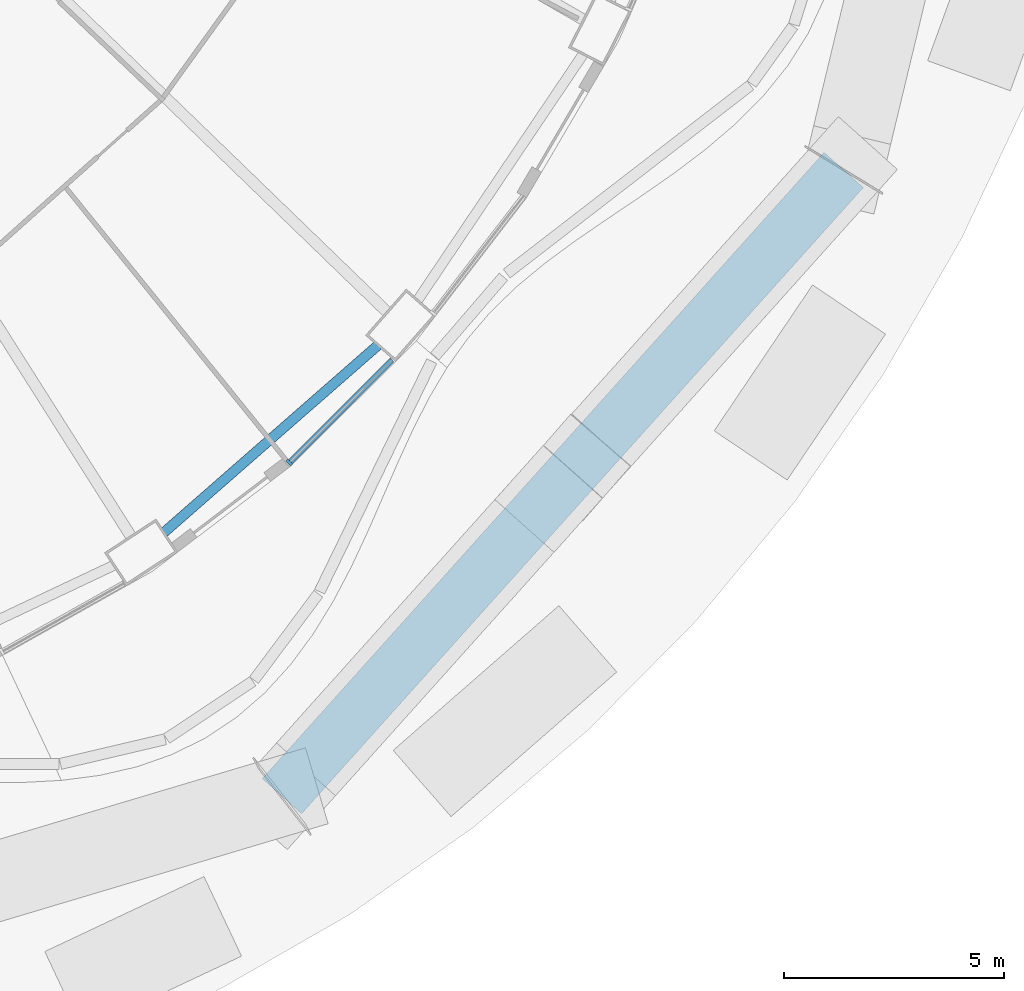
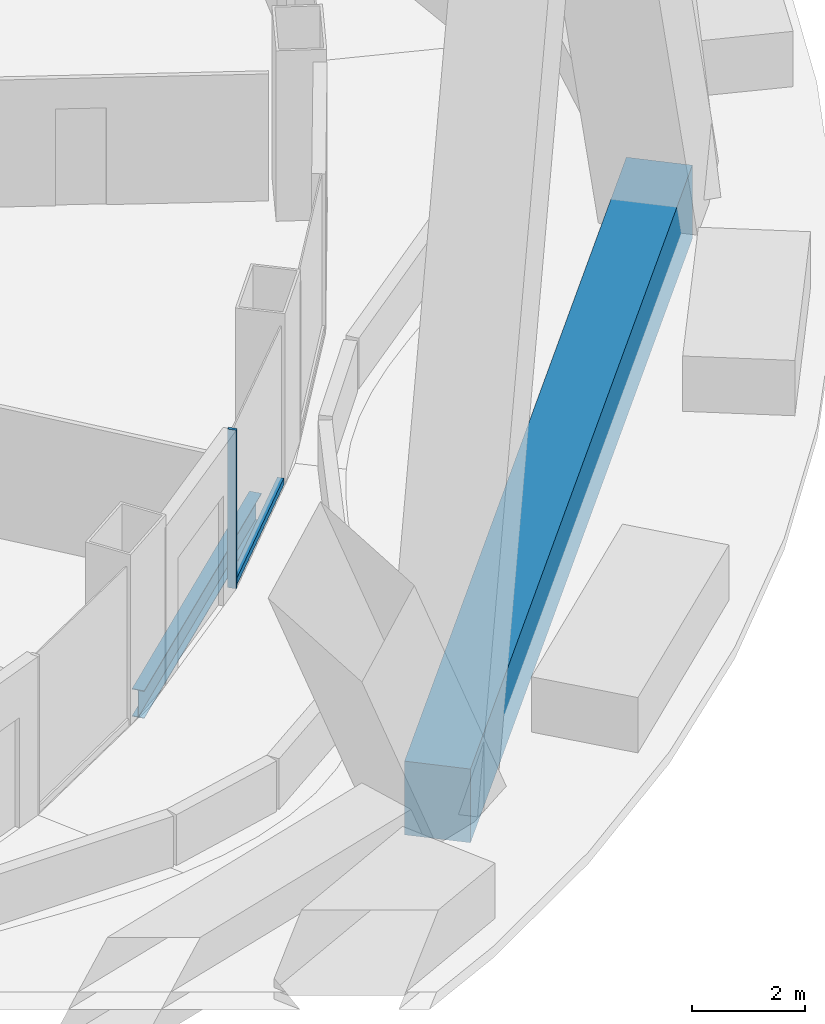
# One storey, part 12 of 42: 3 members, 1 beam, 1 element without a shape of its own.
"""IFC4 building model written with IfcOpenShell, lengths in metres."""

import ifcopenshell
import ifcopenshell.guid

model = None  # the IFC model being written
_history = None  # IfcOwnerHistory: only IFC2X3 demands one
_inside = {}  # id of a spatial element -> (the spatial element, [elements in it])
_under = {}  # id of a project, library or spatial element -> (it, [spatial elements below it])
_declared = {}  # id of a project -> (the project, [libraries it declares])
_typed = {}  # id of a type object -> (the type object, [elements of that type])
_made_of = {}  # id of a material, layer set ... -> (it, [elements and type objects made of it])


def new_model(schema):
    """Start an empty IFC model of exactly this schema.

    Asked for "IFC4X3", IfcOpenShell would pick the latest addendum, in which some entities
    have other attributes; the version numbers below select the first issue.
    IFC2X3 requires an IfcOwnerHistory on every rooted entity: one is made here for all.
    """
    global model, _history
    if schema == "IFC4X3":
        model = ifcopenshell.file(schema_version=(4, 3, 0, 0))
    else:
        model = ifcopenshell.file(schema=schema)
    _inside.clear()
    _under.clear()
    _declared.clear()
    _typed.clear()
    _made_of.clear()
    _history = None
    if model.schema == "IFC2X3":
        org = make("IfcOrganization", Name="unknown")
        user = make(
            "IfcPersonAndOrganization",
            ThePerson=make("IfcPerson", FamilyName="unknown"),
            TheOrganization=org,
        )
        app = make(
            "IfcApplication",
            ApplicationDeveloper=org,
            Version="unknown",
            ApplicationFullName="unknown",
            ApplicationIdentifier="unknown",
        )
        _history = make(
            "IfcOwnerHistory",
            OwningUser=user,
            OwningApplication=app,
            ChangeAction="ADDED",
            CreationDate=0,
        )
    return model


def make(cls, **values):
    """One entity of the class cls with the attributes given. An attribute that is None is left unset."""
    return model.create_entity(
        cls, **{name: value for name, value in values.items() if value is not None}
    )


def rooted(cls, **values):
    """An entity with a GlobalId (a new one), such as an element, a storey or a relation."""
    return make(cls, GlobalId=ifcopenshell.guid.new(), OwnerHistory=_history, **values)


def si_unit(unit_type, name, prefix=None):
    """IfcSIUnit, for example si_unit("LENGTHUNIT", "METRE", prefix="MILLI")."""
    return make("IfcSIUnit", UnitType=unit_type, Prefix=prefix, Name=name)


def assignment(units):
    """IfcUnitAssignment: the units of a project."""
    return None if units is None else make("IfcUnitAssignment", Units=units)


def point(xyz):
    """IfcCartesianPoint."""
    return None if xyz is None else make("IfcCartesianPoint", Coordinates=xyz)


def direction(xyz):
    """IfcDirection."""
    return None if xyz is None else make("IfcDirection", DirectionRatios=xyz)


def frame(location, z_axis=None, x_axis=None):
    """IfcAxis2Placement3D, a coordinate frame: its origin and axes. An axis left out is left unset."""
    return make(
        "IfcAxis2Placement3D",
        Location=point(location),
        Axis=direction(z_axis),
        RefDirection=direction(x_axis),
    )


def frame_2d(location, x_axis=None):
    """IfcAxis2Placement2D, a coordinate frame in the plane: its origin and x axis."""
    return make(
        "IfcAxis2Placement2D", Location=point(location), RefDirection=direction(x_axis)
    )


def origin():
    """The frame at (0, 0, 0) with its axes left unset."""
    return frame((0.0, 0.0, 0.0))


def origin_2d():
    """The frame at (0, 0) in the plane with its x axis left unset."""
    return frame_2d((0.0, 0.0))


def place(relative_to, where):
    """IfcLocalPlacement: puts the frame where relative to a parent placement (None: the world)."""
    return make(
        "IfcLocalPlacement", PlacementRelTo=relative_to, RelativePlacement=where
    )


def context(
    kind, dimensions, precision=None, world=None, true_north=None, identifier=None
):
    """IfcGeometricRepresentationContext, for example the 3D "Model" context."""
    return make(
        "IfcGeometricRepresentationContext",
        ContextIdentifier=identifier,
        ContextType=kind,
        CoordinateSpaceDimension=dimensions,
        Precision=precision,
        WorldCoordinateSystem=world,
        TrueNorth=true_north,
    )


def subcontext(parent, identifier, kind, view, scale=None):
    """IfcGeometricRepresentationSubContext, for example "Body" below "Model"."""
    return make(
        "IfcGeometricRepresentationSubContext",
        ContextIdentifier=identifier,
        ContextType=kind,
        ParentContext=parent,
        TargetScale=scale,
        TargetView=view,
    )


def project(units=None, contexts=None):
    """IfcProject with its units and contexts."""
    return rooted(
        "IfcProject",
        Name="project",
        RepresentationContexts=contexts,
        UnitsInContext=assignment(units),
    )


def spatial(cls, under=None, at=None, **own):
    """A site, building, storey or space (cls), placed at a placement, below another one or the project."""
    s = rooted(cls, ObjectPlacement=at, **own)
    if under is not None:
        _under.setdefault(under.id(), (under, []))[1].append(s)
    return s


def profile(cls, at=None, kind="AREA", **sizes):
    """A parametric profile (cls). Its sizes go by their IFC names, for example OverallWidth=200.0."""
    return make(cls, ProfileType=kind, Position=at, **sizes)


def rectangle(**sizes):
    """IfcRectangleProfileDef."""
    return profile("IfcRectangleProfileDef", **sizes)


def i_section(**sizes):
    """IfcIShapeProfileDef."""
    return profile("IfcIShapeProfileDef", **sizes)


def extrude(swept, where, along, depth):
    """IfcExtrudedAreaSolid: the profile swept, set in the frame where, extruded along a direction by depth."""
    return make(
        "IfcExtrudedAreaSolid",
        SweptArea=swept,
        Position=where,
        ExtrudedDirection=direction(along),
        Depth=depth,
    )


def shape(context_of_items, identifier, shape_type, items):
    """IfcShapeRepresentation: the items that make up one representation, for example the "Body"."""
    return make(
        "IfcShapeRepresentation",
        ContextOfItems=context_of_items,
        RepresentationIdentifier=identifier,
        RepresentationType=shape_type,
        Items=items,
    )


def material(Name=None, Category=None):
    """IfcMaterial."""
    return make("IfcMaterial", Name=Name, Category=Category)


def layer(
    of_material, thickness, ventilated=None, Name=None, Category=None, Priority=None
):
    """IfcMaterialLayer: one layer of a wall or slab, of a material (None: an air gap)."""
    return make(
        "IfcMaterialLayer",
        Material=of_material,
        LayerThickness=thickness,
        IsVentilated=ventilated,
        Name=Name,
        Category=Category,
        Priority=Priority,
    )


def layer_set(layers, Name=None):
    """IfcMaterialLayerSet."""
    return make("IfcMaterialLayerSet", MaterialLayers=layers, LayerSetName=Name)


def material_profile(
    of_material, cross_section, Name=None, Category=None, Priority=None
):
    """IfcMaterialProfile: a cross section and its material."""
    return make(
        "IfcMaterialProfile",
        Name=Name,
        Material=of_material,
        Profile=cross_section,
        Priority=Priority,
        Category=Category,
    )


def profile_set(profiles, Name=None, composite=None):
    """IfcMaterialProfileSet."""
    return make(
        "IfcMaterialProfileSet",
        Name=Name,
        MaterialProfiles=profiles,
        CompositeProfile=composite,
    )


def made_of(thing, what):
    """Note that an element or type object is made of a material, layer set ...; save() writes the relation."""
    if what is not None:
        _made_of.setdefault(what.id(), (what, []))[1].append(thing)
    return thing


def type_object(cls, material=None, **own):
    """A type object (cls), such as IfcWallType, which elements share."""
    return made_of(rooted(cls, **own), material)


def element(
    cls,
    number,
    at=None,
    inside=None,
    cuts=None,
    type_object=None,
    material=None,
    context=None,
    identifier="Body",
    shape_type=None,
    held_by="IfcProductDefinitionShape",
    body=None,
    shapes=None,
    **own,
):
    """One element of the class cls, such as IfcWall. Its Tag is "e" and its number.

    at: its placement. inside: the storey or other place that contains it. cuts: it is an
    opening in that element (IfcRelVoidsElement). A single representation is given by context,
    identifier, shape_type and body (its items); several are given by shapes. held_by: the class
    of the entity that holds the representations. save() writes the other relations.
    """
    e = rooted(cls, Tag="e%d" % number, ObjectPlacement=at, **own)
    if body is not None:
        shapes = [shape(context, identifier, shape_type, body)]
    if shapes is not None:
        e.Representation = make(held_by, Representations=shapes)
    if inside is not None:
        _inside.setdefault(inside.id(), (inside, []))[1].append(e)
    if cuts is not None:
        rooted(
            "IfcRelVoidsElement", RelatingBuildingElement=cuts, RelatedOpeningElement=e
        )
    if type_object is not None:
        _typed.setdefault(type_object.id(), (type_object, []))[1].append(e)
    return made_of(e, material)


def aggregate(whole, parts):
    """IfcRelAggregates: a whole, such as a stair, and the parts it consists of."""
    return rooted("IfcRelAggregates", RelatingObject=whole, RelatedObjects=parts)


def save(model, path):
    """Write the relations noted so far, then the file.

    IfcRelAggregates (storeys below a building ...), IfcRelContainedInSpatialStructure (elements
    in a storey), IfcRelDefinesByType, IfcRelAssociatesMaterial and IfcRelDeclares: one each for
    every whole, place, type object, material and project.
    """
    for whole, parts in _under.values():
        aggregate(whole, parts)
    for where, things in _inside.values():
        rooted(
            "IfcRelContainedInSpatialStructure",
            RelatedElements=things,
            RelatingStructure=where,
        )
    for kind, things in _typed.values():
        rooted("IfcRelDefinesByType", RelatedObjects=things, RelatingType=kind)
    for what, things in _made_of.values():
        rooted("IfcRelAssociatesMaterial", RelatedObjects=things, RelatingMaterial=what)
    for by, libraries in _declared.values():
        rooted("IfcRelDeclares", RelatingContext=by, RelatedDefinitions=libraries)
    model.write(path)


model = new_model("IFC4")

# Units and contexts
model_context = context("Model", 3, precision=1e-05, world=origin(), true_north=direction((0.0, 1.0)))
body_context = subcontext(model_context, "Body", "Model", "MODEL_VIEW")
ifc_project = project(units=[si_unit("LENGTHUNIT", "METRE"), si_unit("AREAUNIT", "SQUARE_METRE"), si_unit("VOLUMEUNIT", "CUBIC_METRE"), si_unit("PLANEANGLEUNIT", "RADIAN"), si_unit("MASSUNIT", "GRAM", prefix="KILO")], contexts=[model_context])

# Site, building, storey
site_placement = place(None, origin())
site = spatial("IfcSite", under=ifc_project, at=site_placement, CompositionType="ELEMENT")
building_placement = place(site_placement, origin())
building = spatial("IfcBuilding", under=site, at=building_placement, Name="Nagisa Residences", CompositionType="ELEMENT")
storey_placement = place(building_placement, frame((0.0, 0.0, 27.0)))
storey = spatial("IfcBuildingStorey", under=building, at=storey_placement, Name="L05", CompositionType="ELEMENT", Elevation=27.0)

# Curtain wall, members
ifc_material_1 = material(Name="Concrete-coloured aluminium curtain wall system", Category="concrete")
ifc_layer = layer(ifc_material_1, 0.159912109375)
ifc_layer_set = layer_set([ifc_layer], Name="CW1 CURTAIN WALL")
curtain_wall_type = type_object("IfcCurtainWallType", Name="CW1 CURTAIN WALL", PredefinedType="NOTDEFINED", material=ifc_layer_set)
curtain_wall_placement = place(storey_placement, origin())
curtain_wall = element("IfcCurtainWall", 1, at=curtain_wall_placement, inside=storey, type_object=curtain_wall_type, Name="cw:CW1:L05:41", PredefinedType="NOTDEFINED")
ifc_material_2 = material(Name="Concrete-coloured aluminium", Category="concrete")
ifc_material_profile_1 = material_profile(ifc_material_2, rectangle(XDim=0.159912109375, YDim=0.06005859375, at=origin_2d()), Name="CW1 MULLION 160x60")
ifc_profile_set_1 = profile_set([ifc_material_profile_1], Name="Concrete-coloured aluminium")
member_type_1 = type_object("IfcMemberType", Name="CW1 MULLION 160x60", PredefinedType="MULLION", material=ifc_profile_set_1)
member_1_placement = place(storey_placement, frame((21.21875, -26.102783203125, 0.0), z_axis=(0.0, 0.0, 1.0), x_axis=(-0.706376885714, 0.707835924016, 0.0)))
member_1 = element("IfcMember", 2, at=member_1_placement, type_object=member_type_1, Name="CW1 mullion", PredefinedType="MULLION", context=body_context, shape_type="SweptSolid", body=[
    extrude(rectangle(XDim=0.159912109375, YDim=0.06005859375, at=origin_2d()), origin(), (0.0, 0.0, 1.0), 3.43994140625),
])
ifc_material_3 = material(Name="Concrete-coloured aluminium", Category="concrete")
ifc_material_profile_2 = material_profile(ifc_material_3, rectangle(XDim=0.1201171875, YDim=0.14990234375, at=origin_2d()), Name="CW1 TRANSOM 120x150")
ifc_profile_set_2 = profile_set([ifc_material_profile_2], Name="Concrete-coloured aluminium")
member_type_2 = type_object("IfcMemberType", Name="CW1 TRANSOM 120x150", PredefinedType="USERDEFINED", material=ifc_profile_set_2)
member_2_placement = place(storey_placement, frame((21.197509765625, -26.1240234375, 0.074951171875), z_axis=(0.707876350734, 0.706336373176, 0.0), x_axis=(-0.706336373176, 0.707876350734, 0.0)))
member_2 = element("IfcMember", 3, at=member_2_placement, type_object=member_type_2, Name="CW1 transom", ObjectType="TRANSOM", PredefinedType="USERDEFINED", context=body_context, shape_type="SweptSolid", body=[
    extrude(rectangle(XDim=0.1201171875, YDim=0.14990234375, at=origin_2d()), origin(), (0.0, 0.0, 1.0), 3.329345703125),
])
aggregate(curtain_wall, [member_1, member_2])

# Member
ifc_material_4 = material(Name="Concrete C80", Category="concrete")
ifc_material_profile_3 = material_profile(ifc_material_4, rectangle(XDim=1.199951171875, YDim=1.60009765625, at=origin_2d()), Name="C80 1200x1600")
ifc_profile_set_3 = profile_set([ifc_material_profile_3], Name="Concrete C80")
member_type_3 = type_object("IfcMemberType", Name="Cage ring 1 C80 1200x1600", PredefinedType="CHORD", material=ifc_profile_set_3)
member_3_placement = place(storey_placement, frame((21.050048828125, -33.6884765625, 0.0), z_axis=(0.66779408663, 0.744346060554, 0.0), x_axis=(-0.744346060554, 0.66779408663, 0.0)))
element("IfcMember", 4, at=member_3_placement, inside=storey, type_object=member_type_3, Name="beam:L05:cg1r111", PredefinedType="CHORD", context=body_context, shape_type="SweptSolid", body=[
    extrude(rectangle(XDim=1.199951171875, YDim=1.60009765625, at=origin_2d()), origin(), (0.0, 0.0, 1.0), 19.12890625),
])

# Beam
ifc_material_5 = material(Name="Steel ASTM A572 Gr 50", Category="steel")
ifc_material_profile_4 = material_profile(ifc_material_5, i_section(OverallWidth=0.22802734375, OverallDepth=0.60302734375, WebThickness=0.010498046875, FlangeThickness=0.014892578125, at=origin_2d()), Name="W610x101")
ifc_profile_set_4 = profile_set([ifc_material_profile_4], Name="Steel ASTM A572 Gr 50")
beam_type = type_object("IfcBeamType", Name="Perimeter ring beam W610x101", PredefinedType="BEAM", material=ifc_profile_set_4)
beam_placement = place(storey_placement, frame((18.36669921875, -27.693603515625, -0.5615234375), z_axis=(0.7525907186, 0.658488580217, 0.0), x_axis=(-0.658488580217, 0.7525907186, 0.0)))
element("IfcBeam", 5, at=beam_placement, inside=storey, type_object=beam_type, Name="beam:L05:pb21", PredefinedType="BEAM", context=body_context, shape_type="SweptSolid", body=[
    extrude(i_section(OverallWidth=0.22802734375, OverallDepth=0.60302734375, WebThickness=0.010498046875, FlangeThickness=0.014892578125, at=origin_2d()), origin(), (0.0, 0.0, 1.0), 6.470458984375),
])

save(model, "model.ifc")
